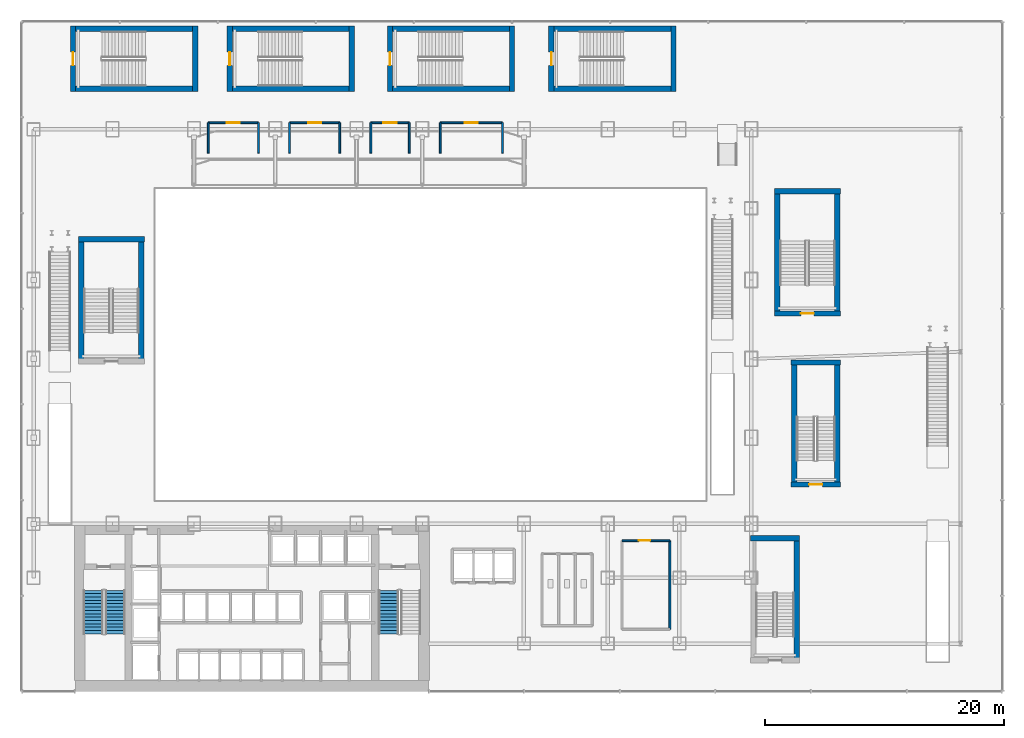
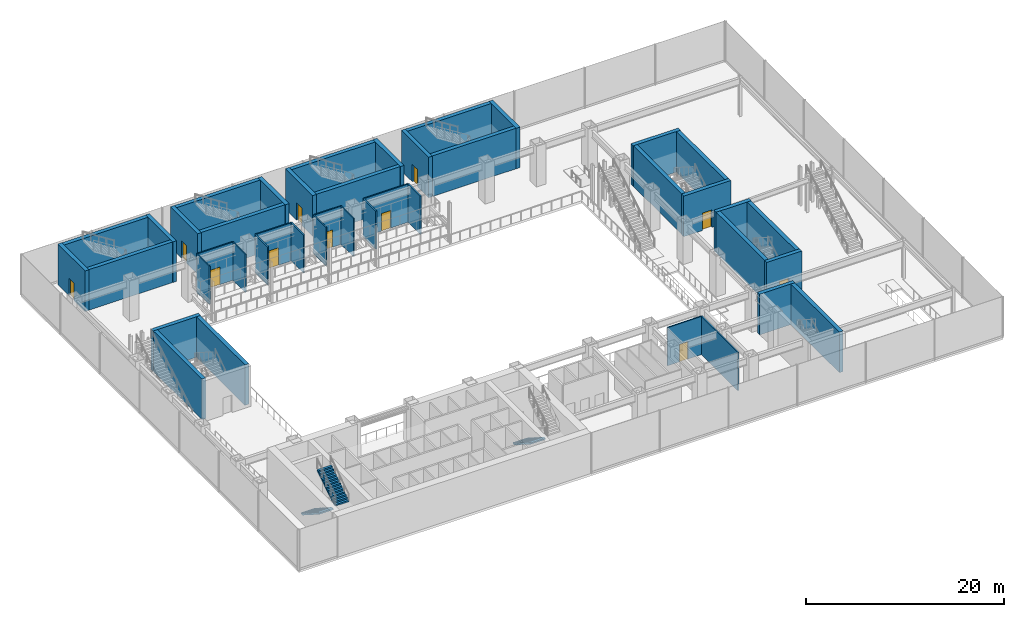
# One storey, part 30 of 40: 43 walls, 11 doors, 3 stair flights, 11 openings, 2 elements without a shape of their own.
"""IFC4 building model written with IfcOpenShell, lengths in metres."""

from ifc_helpers import new_model, si_unit, derived_unit, direction, frame, frame_2d, origin, place, context, subcontext, project, spatial, polyline, rectangle, outline, extrude, source, transform, mapped, material, layer, layer_set, type_object, element, fill, aggregate, save


model = new_model("IFC4")

# Units and contexts
model_context = context("Model", 3, precision=1e-05, world=origin(), true_north=direction((0.0, 1.0)))
body_context = subcontext(model_context, "Body", "Model", "MODEL_VIEW")
ifc_project = project(units=[si_unit("LENGTHUNIT", "METRE"), si_unit("AREAUNIT", "SQUARE_METRE"), si_unit("VOLUMEUNIT", "CUBIC_METRE"), si_unit("PLANEANGLEUNIT", "RADIAN"), si_unit("MASSUNIT", "GRAM", prefix="KILO"), derived_unit("THERMALTRANSMITTANCEUNIT", [(si_unit("POWERUNIT", "WATT"), 1), (si_unit("LENGTHUNIT", "METRE"), -2), (si_unit("THERMODYNAMICTEMPERATUREUNIT", "KELVIN"), -1)])], contexts=[model_context])

# Site, building, storey
site_placement = place(None, origin())
site = spatial("IfcSite", under=ifc_project, at=site_placement, CompositionType="ELEMENT")
building_placement = place(site_placement, origin())
building = spatial("IfcBuilding", under=site, at=building_placement, Name="Skarnbrae Concourse Arena and Tower", CompositionType="ELEMENT")
storey_placement = place(building_placement, frame((0.0, 0.0, 6.0)))
storey = spatial("IfcBuildingStorey", under=building, at=storey_placement, Name="L01", CompositionType="ELEMENT", Elevation=6.0)

# Walls
ifc_material_1 = material(Name="Concrete 50 MPa (C50/60)", Category="concrete")
ifc_layer_1 = layer(ifc_material_1, 0.449951171875)
ifc_layer_set_1 = layer_set([ifc_layer_1], Name="Concrete 50 MPa (C50/60)")
wall_type_1 = type_object("IfcWallType", Name="WALL-CORE-450-C50", PredefinedType="SHEAR", material=ifc_layer_set_1)
shared_shape_1 = source(origin(), body_context, "Body", "SweptSolid", [
    extrude(rectangle(XDim=4.10009765625, YDim=0.449951171875, at=frame_2d((2.050048828125, 0.0))), origin(), (0.0, 0.0, 1.0), 5.0),
])
wall_1_placement = place(storey_placement, frame((60.949951171875, 12.804931640625, 0.0), z_axis=(0.0, 0.0, 1.0), x_axis=(1.0, 0.0, 0.0)))
element("IfcWall", 1, at=wall_1_placement, inside=storey, type_object=wall_type_1, Name="L01 Protected stair shaft wall ST-A1-N", PredefinedType="SHEAR", context=body_context, shape_type="MappedRepresentation", body=[
    mapped(shared_shape_1, transform((0.0, 0.0, 0.0))),
])
shared_shape_2 = source(origin(), body_context, "Body", "SweptSolid", [
    extrude(rectangle(XDim=9.800048828125, YDim=0.449951171875, at=frame_2d((4.89990234375, 0.0))), origin(), (0.0, 0.0, 1.0), 5.0),
])
for number, where, z_axis, x_axis, name in (
    (2, (64.804931640625, 2.800048828125, 0.0), (0.0, 0.0, 1.0), (0.0, 1.0, 0.0), "L01 Protected stair shaft wall ST-A1-E"),
    (3, (64.594970703125, 17.5, 0.0), (0.0, 0.0, 1.0), (0.0, 1.0, 0.0), "L01 Protected stair shaft wall ST-A2-W"),
    (4, (68.205078125, 17.5, 0.0), (0.0, 0.0, 1.0), (0.0, 1.0, 0.0), "L01 Protected stair shaft wall ST-A2-E"),
    (5, (4.9951171875, 27.800048828125, 0.0), (0.0, 0.0, 1.0), (0.0, 1.0, 0.0), "L01 Protected stair shaft wall ST-A3-W"),
    (6, (10.0048828125, 27.800048828125, 0.0), (0.0, 0.0, 1.0), (0.0, 1.0, 0.0), "L01 Protected stair shaft wall ST-A3-E"),
    (7, (63.195068359375, 31.800048828125, 0.0), (0.0, 0.0, 1.0), (0.0, 1.0, 0.0), "L01 Protected stair shaft wall ST-A4-W"),
    (8, (68.205078125, 31.800048828125, 0.0), (0.0, 0.0, 1.0), (0.0, 1.0, 0.0), "L01 Protected stair shaft wall ST-A4-E"),
    (9, (4.5, 50.39501953125, 0.0), (0.0, 0.0, 1.0), (1.0, 0.0, 0.0), "L01 Protected stair shaft wall ST-A5-S"),
    (10, (4.5, 55.405029296875, 0.0), (0.0, 0.0, 1.0), (1.0, 0.0, 0.0), "L01 Protected stair shaft wall ST-A5-N"),
    (11, (31.0, 50.39501953125, 0.0), (0.0, 0.0, 1.0), (1.0, 0.0, 0.0), "L01 Protected stair shaft wall ST-A7-S"),
    (12, (31.0, 55.405029296875, 0.0), (0.0, 0.0, 1.0), (1.0, 0.0, 0.0), "L01 Protected stair shaft wall ST-A7-N"),
    (13, (44.5, 50.39501953125, 0.0), (0.0, 0.0, 1.0), (1.0, 0.0, 0.0), "L01 Protected stair shaft wall ST-A8-S"),
    (14, (44.5, 55.405029296875, 0.0), (0.0, 0.0, 1.0), (1.0, 0.0, 0.0), "L01 Protected stair shaft wall ST-A8-N"),
):
    element("IfcWall", number, at=place(storey_placement, frame(where, z_axis=z_axis, x_axis=x_axis)), inside=storey, type_object=wall_type_1, Name=name, PredefinedType="SHEAR", context=body_context, shape_type="MappedRepresentation", body=[
        mapped(shared_shape_2, transform((0.0, 0.0, 0.0))),
    ])

# Wall, opening, door
shared_shape_3 = source(origin(), body_context, "Body", "SweptSolid", [
    extrude(rectangle(XDim=4.099853515625, YDim=0.449951171875, at=frame_2d((2.0498046875, 0.0))), origin(), (0.0, 0.0, 1.0), 5.0),
])
wall_2_placement = place(storey_placement, frame((64.35009765625, 17.294921875, 0.0), z_axis=(0.0, 0.0, 1.0), x_axis=(1.0, 0.0, 0.0)))
wall_2 = element("IfcWall", 15, at=wall_2_placement, inside=storey, type_object=wall_type_1, Name="L01 Protected stair shaft wall ST-A2-S", PredefinedType="SHEAR", context=body_context, shape_type="MappedRepresentation", body=[
    mapped(shared_shape_3, transform((0.0, 0.0, 0.0))),
])
opening_1_placement = place(wall_2_placement, frame((1.5, 0.0, 0.0)))
opening_1 = element("IfcOpeningElement", 16, at=opening_1_placement, cuts=wall_2, Name="Opening DT-03", PredefinedType="OPENING", context=body_context, shape_type="SweptSolid", body=[
    extrude(rectangle(XDim=1.10009765625, YDim=2.14990234375, at=frame_2d((0.550048828125, 1.074951171875))), frame((0.0, 0.23486328125, 0.0), z_axis=(0.0, -1.0, 0.0), x_axis=(1.0, 0.0, 0.0)), (0.0, 0.0, 1.0), 0.469970703125),
])
ifc_material_2 = material(Name="Steel CSA G40.21 350W", Category="steel")
door_type_1 = type_object("IfcDoorType", Name="DOOR-FIRE-1100-90M", OperationType="NOTDEFINED", PredefinedType="DOOR", material=ifc_material_2)
shared_shape_4 = source(origin(), body_context, "Body", "SweptSolid", [
    extrude(rectangle(XDim=1.10009765625, YDim=2.14990234375, at=frame_2d((0.550048828125, 1.074951171875))), frame((0.0, 0.02490234375, 0.0), z_axis=(0.0, -1.0, 0.0), x_axis=(1.0, 0.0, 0.0)), (0.0, 0.0, 1.0), 0.050048828125),
])
door_1_placement = place(opening_1_placement, origin())
door_1 = element("IfcDoor", 17, at=door_1_placement, inside=storey, type_object=door_type_1, Name="D-0220 Exit Stair ST-A2 Door", OperationType="SINGLE_SWING_RIGHT", OverallHeight=2.14990234375, OverallWidth=1.10009765625, PredefinedType="DOOR", context=body_context, shape_type="MappedRepresentation", body=[
    mapped(shared_shape_4, transform((0.0, 0.0, 0.0))),
])
fill(opening_1, door_1)

# Walls
wall_3_placement = place(storey_placement, frame((64.35009765625, 27.5048828125, 0.0), z_axis=(0.0, 0.0, 1.0), x_axis=(1.0, 0.0, 0.0)))
element("IfcWall", 18, at=wall_3_placement, inside=storey, type_object=wall_type_1, Name="L01 Protected stair shaft wall ST-A2-N", PredefinedType="SHEAR", context=body_context, shape_type="MappedRepresentation", body=[
    mapped(shared_shape_3, transform((0.0, 0.0, 0.0))),
])
shared_shape_5 = source(origin(), body_context, "Body", "SweptSolid", [
    extrude(rectangle(XDim=5.5, YDim=0.449951171875, at=frame_2d((2.75, 0.0))), origin(), (0.0, 0.0, 1.0), 5.0),
])
wall_4_placement = place(storey_placement, frame((4.75, 37.804931640625, 0.0), z_axis=(0.0, 0.0, 1.0), x_axis=(1.0, 0.0, 0.0)))
element("IfcWall", 19, at=wall_4_placement, inside=storey, type_object=wall_type_1, Name="L01 Protected stair shaft wall ST-A3-N", PredefinedType="SHEAR", context=body_context, shape_type="MappedRepresentation", body=[
    mapped(shared_shape_5, transform((0.0, 0.0, 0.0))),
])

# Wall, opening, door
wall_5_placement = place(storey_placement, frame((62.949951171875, 31.594970703125, 0.0), z_axis=(0.0, 0.0, 1.0), x_axis=(1.0, 0.0, 0.0)))
wall_5 = element("IfcWall", 20, at=wall_5_placement, inside=storey, type_object=wall_type_1, Name="L01 Protected stair shaft wall ST-A4-S", PredefinedType="SHEAR", context=body_context, shape_type="MappedRepresentation", body=[
    mapped(shared_shape_5, transform((0.0, 0.0, 0.0))),
])
opening_2_placement = place(wall_5_placement, frame((2.199951171875, 0.0, 0.0)))
opening_2 = element("IfcOpeningElement", 21, at=opening_2_placement, cuts=wall_5, Name="Opening DT-03", PredefinedType="OPENING", context=body_context, shape_type="SweptSolid", body=[
    extrude(rectangle(XDim=1.10009765625, YDim=2.14990234375, at=frame_2d((0.550048828125, 1.074951171875))), frame((0.0, 0.23486328125, 0.0), z_axis=(0.0, -1.0, 0.0), x_axis=(1.0, 0.0, 0.0)), (0.0, 0.0, 1.0), 0.469970703125),
])
door_2_placement = place(opening_2_placement, origin())
door_2 = element("IfcDoor", 22, at=door_2_placement, inside=storey, type_object=door_type_1, Name="D-0222 Exit Stair ST-A4 Door", OperationType="SINGLE_SWING_RIGHT", OverallHeight=2.14990234375, OverallWidth=1.10009765625, PredefinedType="DOOR", context=body_context, shape_type="MappedRepresentation", body=[
    mapped(shared_shape_4, transform((0.0, 0.0, 0.0))),
])
fill(opening_2, door_2)

# Wall
wall_6_placement = place(storey_placement, frame((62.949951171875, 41.804931640625, 0.0), z_axis=(0.0, 0.0, 1.0), x_axis=(1.0, 0.0, 0.0)))
element("IfcWall", 23, at=wall_6_placement, inside=storey, type_object=wall_type_1, Name="L01 Protected stair shaft wall ST-A4-N", PredefinedType="SHEAR", context=body_context, shape_type="MappedRepresentation", body=[
    mapped(shared_shape_5, transform((0.0, 0.0, 0.0))),
])

# Wall, opening, door
wall_7_placement = place(storey_placement, frame((4.294921875, 50.14990234375, 0.0), z_axis=(0.0, 0.0, 1.0), x_axis=(0.0, 1.0, 0.0)))
wall_7 = element("IfcWall", 24, at=wall_7_placement, inside=storey, type_object=wall_type_1, Name="L01 Protected stair shaft wall ST-A5-W", PredefinedType="SHEAR", context=body_context, shape_type="MappedRepresentation", body=[
    mapped(shared_shape_5, transform((0.0, 0.0, 0.0))),
])
opening_3_placement = place(wall_7_placement, frame((2.199951171875, 0.0, 0.0)))
opening_3 = element("IfcOpeningElement", 25, at=opening_3_placement, cuts=wall_7, Name="Opening DT-03", PredefinedType="OPENING", context=body_context, shape_type="SweptSolid", body=[
    extrude(rectangle(XDim=1.10009765625, YDim=2.14990234375, at=frame_2d((0.550048828125, 1.074951171875))), frame((0.0, 0.23486328125, 0.0), z_axis=(0.0, -1.0, 0.0), x_axis=(1.0, 0.0, 0.0)), (0.0, 0.0, 1.0), 0.469970703125),
])
door_3_placement = place(opening_3_placement, frame((1.10009765625, 0.0, 0.0), z_axis=(0.0, 0.0, 1.0), x_axis=(-1.0, 0.0, 0.0)))
door_3 = element("IfcDoor", 26, at=door_3_placement, inside=storey, type_object=door_type_1, Name="D-0223 Exit Stair ST-A5 Door", OperationType="SINGLE_SWING_RIGHT", OverallHeight=2.14990234375, OverallWidth=1.10009765625, PredefinedType="DOOR", context=body_context, shape_type="MappedRepresentation", body=[
    mapped(shared_shape_4, transform((0.0, 0.0, 0.0))),
])
fill(opening_3, door_3)

# Wall
wall_8_placement = place(storey_placement, frame((14.5048828125, 50.14990234375, 0.0), z_axis=(0.0, 0.0, 1.0), x_axis=(0.0, 1.0, 0.0)))
element("IfcWall", 27, at=wall_8_placement, inside=storey, type_object=wall_type_1, Name="L01 Protected stair shaft wall ST-A5-E", PredefinedType="SHEAR", context=body_context, shape_type="MappedRepresentation", body=[
    mapped(shared_shape_5, transform((0.0, 0.0, 0.0))),
])

# Wall, opening, door
wall_9_placement = place(storey_placement, frame((17.39501953125, 50.14990234375, 0.0), z_axis=(0.0, 0.0, 1.0), x_axis=(0.0, 1.0, 0.0)))
wall_9 = element("IfcWall", 28, at=wall_9_placement, inside=storey, type_object=wall_type_1, Name="L01 Protected stair shaft wall ST-A6-W", PredefinedType="SHEAR", context=body_context, shape_type="MappedRepresentation", body=[
    mapped(shared_shape_5, transform((0.0, 0.0, 0.0))),
])
opening_4_placement = place(wall_9_placement, frame((2.199951171875, 0.0, 0.0)))
opening_4 = element("IfcOpeningElement", 29, at=opening_4_placement, cuts=wall_9, Name="Opening DT-03", PredefinedType="OPENING", context=body_context, shape_type="SweptSolid", body=[
    extrude(rectangle(XDim=1.10009765625, YDim=2.14990234375, at=frame_2d((0.550048828125, 1.074951171875))), frame((0.0, 0.23486328125, 0.0), z_axis=(0.0, -1.0, 0.0), x_axis=(1.0, 0.0, 0.0)), (0.0, 0.0, 1.0), 0.469970703125),
])
door_4_placement = place(opening_4_placement, frame((1.10009765625, 0.0, 0.0), z_axis=(0.0, 0.0, 1.0), x_axis=(-1.0, 0.0, 0.0)))
door_4 = element("IfcDoor", 30, at=door_4_placement, inside=storey, type_object=door_type_1, Name="D-0224 Exit Stair ST-A6 Door", OperationType="SINGLE_SWING_RIGHT", OverallHeight=2.14990234375, OverallWidth=1.10009765625, PredefinedType="DOOR", context=body_context, shape_type="MappedRepresentation", body=[
    mapped(shared_shape_4, transform((0.0, 0.0, 0.0))),
])
fill(opening_4, door_4)

# Wall
wall_10_placement = place(storey_placement, frame((27.60498046875, 50.14990234375, 0.0), z_axis=(0.0, 0.0, 1.0), x_axis=(0.0, 1.0, 0.0)))
element("IfcWall", 31, at=wall_10_placement, inside=storey, type_object=wall_type_1, Name="L01 Protected stair shaft wall ST-A6-E", PredefinedType="SHEAR", context=body_context, shape_type="MappedRepresentation", body=[
    mapped(shared_shape_5, transform((0.0, 0.0, 0.0))),
])

# Wall, opening, door
wall_11_placement = place(storey_placement, frame((30.794921875, 50.14990234375, 0.0), z_axis=(0.0, 0.0, 1.0), x_axis=(0.0, 1.0, 0.0)))
wall_11 = element("IfcWall", 32, at=wall_11_placement, inside=storey, type_object=wall_type_1, Name="L01 Protected stair shaft wall ST-A7-W", PredefinedType="SHEAR", context=body_context, shape_type="MappedRepresentation", body=[
    mapped(shared_shape_5, transform((0.0, 0.0, 0.0))),
])
opening_5_placement = place(wall_11_placement, frame((2.199951171875, 0.0, 0.0)))
opening_5 = element("IfcOpeningElement", 33, at=opening_5_placement, cuts=wall_11, Name="Opening DT-03", PredefinedType="OPENING", context=body_context, shape_type="SweptSolid", body=[
    extrude(rectangle(XDim=1.10009765625, YDim=2.14990234375, at=frame_2d((0.550048828125, 1.074951171875))), frame((0.0, 0.23486328125, 0.0), z_axis=(0.0, -1.0, 0.0), x_axis=(1.0, 0.0, 0.0)), (0.0, 0.0, 1.0), 0.469970703125),
])
door_5_placement = place(opening_5_placement, frame((1.10009765625, 0.0, 0.0), z_axis=(0.0, 0.0, 1.0), x_axis=(-1.0, 0.0, 0.0)))
door_5 = element("IfcDoor", 34, at=door_5_placement, inside=storey, type_object=door_type_1, Name="D-0225 Exit Stair ST-A7 Door", OperationType="SINGLE_SWING_RIGHT", OverallHeight=2.14990234375, OverallWidth=1.10009765625, PredefinedType="DOOR", context=body_context, shape_type="MappedRepresentation", body=[
    mapped(shared_shape_4, transform((0.0, 0.0, 0.0))),
])
fill(opening_5, door_5)

# Wall
wall_12_placement = place(storey_placement, frame((41.0048828125, 50.14990234375, 0.0), z_axis=(0.0, 0.0, 1.0), x_axis=(0.0, 1.0, 0.0)))
element("IfcWall", 35, at=wall_12_placement, inside=storey, type_object=wall_type_1, Name="L01 Protected stair shaft wall ST-A7-E", PredefinedType="SHEAR", context=body_context, shape_type="MappedRepresentation", body=[
    mapped(shared_shape_5, transform((0.0, 0.0, 0.0))),
])

# Wall, opening, door
wall_13_placement = place(storey_placement, frame((44.294921875, 50.14990234375, 0.0), z_axis=(0.0, 0.0, 1.0), x_axis=(0.0, 1.0, 0.0)))
wall_13 = element("IfcWall", 36, at=wall_13_placement, inside=storey, type_object=wall_type_1, Name="L01 Protected stair shaft wall ST-A8-W", PredefinedType="SHEAR", context=body_context, shape_type="MappedRepresentation", body=[
    mapped(shared_shape_5, transform((0.0, 0.0, 0.0))),
])
opening_6_placement = place(wall_13_placement, frame((2.199951171875, 0.0, 0.0)))
opening_6 = element("IfcOpeningElement", 37, at=opening_6_placement, cuts=wall_13, Name="Opening DT-03", PredefinedType="OPENING", context=body_context, shape_type="SweptSolid", body=[
    extrude(rectangle(XDim=1.10009765625, YDim=2.14990234375, at=frame_2d((0.550048828125, 1.074951171875))), frame((0.0, 0.23486328125, 0.0), z_axis=(0.0, -1.0, 0.0), x_axis=(1.0, 0.0, 0.0)), (0.0, 0.0, 1.0), 0.469970703125),
])
door_6_placement = place(opening_6_placement, frame((1.10009765625, 0.0, 0.0), z_axis=(0.0, 0.0, 1.0), x_axis=(-1.0, 0.0, 0.0)))
door_6 = element("IfcDoor", 38, at=door_6_placement, inside=storey, type_object=door_type_1, Name="D-0226 Exit Stair ST-A8 Door", OperationType="SINGLE_SWING_RIGHT", OverallHeight=2.14990234375, OverallWidth=1.10009765625, PredefinedType="DOOR", context=body_context, shape_type="MappedRepresentation", body=[
    mapped(shared_shape_4, transform((0.0, 0.0, 0.0))),
])
fill(opening_6, door_6)

# Walls
wall_14_placement = place(storey_placement, frame((54.5048828125, 50.14990234375, 0.0), z_axis=(0.0, 0.0, 1.0), x_axis=(0.0, 1.0, 0.0)))
element("IfcWall", 39, at=wall_14_placement, inside=storey, type_object=wall_type_1, Name="L01 Protected stair shaft wall ST-A8-E", PredefinedType="SHEAR", context=body_context, shape_type="MappedRepresentation", body=[
    mapped(shared_shape_5, transform((0.0, 0.0, 0.0))),
])
shared_shape_6 = source(origin(), body_context, "Body", "SweptSolid", [
    extrude(rectangle(XDim=9.7998046875, YDim=0.449951171875, at=frame_2d((4.89990234375, 0.0))), origin(), (0.0, 0.0, 1.0), 5.0),
])
for number, where, z_axis, x_axis, name in (
    (40, (17.60009765625, 50.39501953125, 0.0), (0.0, 0.0, 1.0), (1.0, 0.0, 0.0), "L01 Protected stair shaft wall ST-A6-S"),
    (41, (17.60009765625, 55.405029296875, 0.0), (0.0, 0.0, 1.0), (1.0, 0.0, 0.0), "L01 Protected stair shaft wall ST-A6-N"),
):
    element("IfcWall", number, at=place(storey_placement, frame(where, z_axis=z_axis, x_axis=x_axis)), inside=storey, type_object=wall_type_1, Name=name, PredefinedType="SHEAR", context=body_context, shape_type="MappedRepresentation", body=[
        mapped(shared_shape_6, transform((0.0, 0.0, 0.0))),
    ])

# Wall, opening, door
ifc_material_3 = material(Name="Gypsum board on cold-formed steel studs", Category="steel")
ifc_layer_2 = layer(ifc_material_3, 0.14990234375)
ifc_layer_set_2 = layer_set([ifc_layer_2], Name="Gypsum board on cold-formed steel studs")
wall_type_2 = type_object("IfcWallType", Name="WALL-PART-150-1HR", PredefinedType="PARTITIONING", material=ifc_layer_set_2)
shared_shape_7 = source(origin(), body_context, "Body", "SweptSolid", [
    extrude(rectangle(XDim=4.199951171875, YDim=0.14990234375, at=frame_2d((2.10009765625, 0.0))), origin(), (0.0, 0.0, 1.0), 4.699951171875),
])
wall_15_placement = place(storey_placement, frame((15.60009765625, 47.550048828125, 0.0), z_axis=(0.0, 0.0, 1.0), x_axis=(1.0, 0.0, 0.0)))
wall_15 = element("IfcWall", 42, at=wall_15_placement, inside=storey, type_object=wall_type_2, Name="L01 Interior partition wall W-L01-VM5-N", PredefinedType="PARTITIONING", context=body_context, shape_type="MappedRepresentation", body=[
    mapped(shared_shape_7, transform((0.0, 0.0, 0.0))),
])
opening_7_placement = place(wall_15_placement, frame((1.550048828125, 0.0, 0.0)))
opening_7 = element("IfcOpeningElement", 43, at=opening_7_placement, cuts=wall_15, Name="Opening DT-03", PredefinedType="OPENING", context=body_context, shape_type="SweptSolid", body=[
    extrude(rectangle(XDim=1.10009765625, YDim=2.14990234375, at=frame_2d((0.550048828125, 1.074951171875))), frame((0.0, 0.0849609375, 0.0), z_axis=(0.0, -1.0, 0.0), x_axis=(1.0, 0.0, 0.0)), (0.0, 0.0, 1.0), 0.169921875),
])
door_7_placement = place(opening_7_placement, frame((1.10009765625, 0.0, 0.0), z_axis=(0.0, 0.0, 1.0), x_axis=(-1.0, 0.0, 0.0)))
door_7 = element("IfcDoor", 44, at=door_7_placement, inside=storey, type_object=door_type_1, Name="D-0214 Arena Vomitory V-05 Concourse Door", OperationType="SINGLE_SWING_LEFT", OverallHeight=2.14990234375, OverallWidth=1.10009765625, PredefinedType="DOOR", context=body_context, shape_type="MappedRepresentation", body=[
    mapped(shared_shape_4, transform((0.0, 0.0, 0.0))),
])
fill(opening_7, door_7)

# Walls
shared_shape_8 = source(origin(), body_context, "Body", "SweptSolid", [
    extrude(rectangle(XDim=2.550048828125, YDim=0.14990234375, at=frame_2d((1.27490234375, 0.0))), origin(), (0.0, 0.0, 1.0), 4.699951171875),
])
for number, where, z_axis, x_axis, name in (
    (45, (15.60009765625, 45.0, 0.0), (0.0, 0.0, 1.0), (0.0, 1.0, 0.0), "L01 Interior partition wall W-L01-VM5-W"),
    (46, (19.800048828125, 45.0, 0.0), (0.0, 0.0, 1.0), (0.0, 1.0, 0.0), "L01 Interior partition wall W-L01-VM5-E"),
    (47, (22.39990234375, 45.0, 0.0), (0.0, 0.0, 1.0), (0.0, 1.0, 0.0), "L01 Interior partition wall W-L01-VM6-W"),
    (48, (26.60009765625, 45.0, 0.0), (0.0, 0.0, 1.0), (0.0, 1.0, 0.0), "L01 Interior partition wall W-L01-VM6-E"),
    (49, (29.199951171875, 45.0, 0.0), (0.0, 0.0, 1.0), (0.0, 1.0, 0.0), "L01 Interior partition wall W-L01-VM7-W"),
    (50, (32.39990234375, 45.0, 0.0), (0.0, 0.0, 1.0), (0.0, 1.0, 0.0), "L01 Interior partition wall W-L01-VM7-E"),
    (51, (35.0, 45.0, 0.0), (0.0, 0.0, 1.0), (0.0, 1.0, 0.0), "L01 Interior partition wall W-L01-VM8-W"),
    (52, (40.199951171875, 45.0, 0.0), (0.0, 0.0, 1.0), (0.0, 1.0, 0.0), "L01 Interior partition wall W-L01-VM8-E"),
):
    element("IfcWall", number, at=place(storey_placement, frame(where, z_axis=z_axis, x_axis=x_axis)), inside=storey, type_object=wall_type_2, Name=name, PredefinedType="PARTITIONING", context=body_context, shape_type="MappedRepresentation", body=[
        mapped(shared_shape_8, transform((0.0, 0.0, 0.0))),
    ])

# Wall, opening, door
shared_shape_9 = source(origin(), body_context, "Body", "SweptSolid", [
    extrude(rectangle(XDim=4.2001953125, YDim=0.14990234375, at=frame_2d((2.10009765625, 0.0))), origin(), (0.0, 0.0, 1.0), 4.699951171875),
])
wall_16_placement = place(storey_placement, frame((22.39990234375, 47.550048828125, 0.0), z_axis=(0.0, 0.0, 1.0), x_axis=(1.0, 0.0, 0.0)))
wall_16 = element("IfcWall", 53, at=wall_16_placement, inside=storey, type_object=wall_type_2, Name="L01 Interior partition wall W-L01-VM6-N", PredefinedType="PARTITIONING", context=body_context, shape_type="MappedRepresentation", body=[
    mapped(shared_shape_9, transform((0.0, 0.0, 0.0))),
])
opening_8_placement = place(wall_16_placement, frame((1.550048828125, 0.0, 0.0)))
opening_8 = element("IfcOpeningElement", 54, at=opening_8_placement, cuts=wall_16, Name="Opening DT-03", PredefinedType="OPENING", context=body_context, shape_type="SweptSolid", body=[
    extrude(rectangle(XDim=1.10009765625, YDim=2.14990234375, at=frame_2d((0.550048828125, 1.074951171875))), frame((0.0, 0.0849609375, 0.0), z_axis=(0.0, -1.0, 0.0), x_axis=(1.0, 0.0, 0.0)), (0.0, 0.0, 1.0), 0.169921875),
])
door_8_placement = place(opening_8_placement, frame((1.10009765625, 0.0, 0.0), z_axis=(0.0, 0.0, 1.0), x_axis=(-1.0, 0.0, 0.0)))
door_8 = element("IfcDoor", 55, at=door_8_placement, inside=storey, type_object=door_type_1, Name="D-0215 Arena Vomitory V-06 Concourse Door", OperationType="SINGLE_SWING_LEFT", OverallHeight=2.14990234375, OverallWidth=1.10009765625, PredefinedType="DOOR", context=body_context, shape_type="MappedRepresentation", body=[
    mapped(shared_shape_4, transform((0.0, 0.0, 0.0))),
])
fill(opening_8, door_8)

shared_shape_10 = source(origin(), body_context, "Body", "SweptSolid", [
    extrude(rectangle(XDim=3.199951171875, YDim=0.14990234375, at=frame_2d((1.60009765625, 0.0))), origin(), (0.0, 0.0, 1.0), 4.699951171875),
])
wall_17_placement = place(storey_placement, frame((29.199951171875, 47.550048828125, 0.0), z_axis=(0.0, 0.0, 1.0), x_axis=(1.0, 0.0, 0.0)))
wall_17 = element("IfcWall", 56, at=wall_17_placement, inside=storey, type_object=wall_type_2, Name="L01 Interior partition wall W-L01-VM7-N", PredefinedType="PARTITIONING", context=body_context, shape_type="MappedRepresentation", body=[
    mapped(shared_shape_10, transform((0.0, 0.0, 0.0))),
])
opening_9_placement = place(wall_17_placement, frame((1.050048828125, 0.0, 0.0)))
opening_9 = element("IfcOpeningElement", 57, at=opening_9_placement, cuts=wall_17, Name="Opening DT-03", PredefinedType="OPENING", context=body_context, shape_type="SweptSolid", body=[
    extrude(rectangle(XDim=1.10009765625, YDim=2.14990234375, at=frame_2d((0.550048828125, 1.074951171875))), frame((0.0, 0.0849609375, 0.0), z_axis=(0.0, -1.0, 0.0), x_axis=(1.0, 0.0, 0.0)), (0.0, 0.0, 1.0), 0.169921875),
])
door_9_placement = place(opening_9_placement, frame((1.10009765625, 0.0, 0.0), z_axis=(0.0, 0.0, 1.0), x_axis=(-1.0, 0.0, 0.0)))
door_9 = element("IfcDoor", 58, at=door_9_placement, inside=storey, type_object=door_type_1, Name="D-0216 Arena Vomitory V-07 Concourse Door", OperationType="SINGLE_SWING_LEFT", OverallHeight=2.14990234375, OverallWidth=1.10009765625, PredefinedType="DOOR", context=body_context, shape_type="MappedRepresentation", body=[
    mapped(shared_shape_4, transform((0.0, 0.0, 0.0))),
])
fill(opening_9, door_9)

shared_shape_11 = source(origin(), body_context, "Body", "SweptSolid", [
    extrude(rectangle(XDim=5.199951171875, YDim=0.14990234375, at=frame_2d((2.60009765625, 0.0))), origin(), (0.0, 0.0, 1.0), 4.699951171875),
])
wall_18_placement = place(storey_placement, frame((35.0, 47.550048828125, 0.0), z_axis=(0.0, 0.0, 1.0), x_axis=(1.0, 0.0, 0.0)))
wall_18 = element("IfcWall", 59, at=wall_18_placement, inside=storey, type_object=wall_type_2, Name="L01 Interior partition wall W-L01-VM8-N", PredefinedType="PARTITIONING", context=body_context, shape_type="MappedRepresentation", body=[
    mapped(shared_shape_11, transform((0.0, 0.0, 0.0))),
])
opening_10_placement = place(wall_18_placement, frame((2.050048828125, 0.0, 0.0)))
opening_10 = element("IfcOpeningElement", 60, at=opening_10_placement, cuts=wall_18, Name="Opening DT-03", PredefinedType="OPENING", context=body_context, shape_type="SweptSolid", body=[
    extrude(rectangle(XDim=1.10009765625, YDim=2.14990234375, at=frame_2d((0.550048828125, 1.074951171875))), frame((0.0, 0.0849609375, 0.0), z_axis=(0.0, -1.0, 0.0), x_axis=(1.0, 0.0, 0.0)), (0.0, 0.0, 1.0), 0.169921875),
])
door_10_placement = place(opening_10_placement, frame((1.10009765625, 0.0, 0.0), z_axis=(0.0, 0.0, 1.0), x_axis=(-1.0, 0.0, 0.0)))
door_10 = element("IfcDoor", 61, at=door_10_placement, inside=storey, type_object=door_type_1, Name="D-0217 Arena Vomitory V-08 Concourse Door", OperationType="SINGLE_SWING_LEFT", OverallHeight=2.14990234375, OverallWidth=1.10009765625, PredefinedType="DOOR", context=body_context, shape_type="MappedRepresentation", body=[
    mapped(shared_shape_4, transform((0.0, 0.0, 0.0))),
])
fill(opening_10, door_10)

shared_shape_12 = source(origin(), body_context, "Body", "SweptSolid", [
    extrude(rectangle(XDim=4.0, YDim=0.14990234375, at=frame_2d((2.0, 0.0))), origin(), (0.0, 0.0, 1.0), 4.699951171875),
])
wall_19_placement = place(storey_placement, frame((50.199951171875, 12.60009765625, 0.0), z_axis=(0.0, 0.0, 1.0), x_axis=(1.0, 0.0, 0.0)))
wall_19 = element("IfcWall", 62, at=wall_19_placement, inside=storey, type_object=wall_type_2, Name="L01 Interior partition wall W-L01-CAT-N", PredefinedType="PARTITIONING", context=body_context, shape_type="MappedRepresentation", body=[
    mapped(shared_shape_12, transform((0.0, 0.0, 0.0))),
])
opening_11_placement = place(wall_19_placement, frame((1.39990234375, 0.0, 0.0)))
opening_11 = element("IfcOpeningElement", 63, at=opening_11_placement, cuts=wall_19, Name="Opening DT-04", PredefinedType="OPENING", context=body_context, shape_type="SweptSolid", body=[
    extrude(rectangle(XDim=0.949951171875, YDim=2.14990234375, at=frame_2d((0.47509765625, 1.074951171875))), frame((0.0, 0.0849609375, 0.0), z_axis=(0.0, -1.0, 0.0), x_axis=(1.0, 0.0, 0.0)), (0.0, 0.0, 1.0), 0.169921875),
])
door_type_2 = type_object("IfcDoorType", Name="DOOR-INT-950-45M", OperationType="NOTDEFINED", PredefinedType="DOOR", material=ifc_material_2)
shared_shape_13 = source(origin(), body_context, "Body", "SweptSolid", [
    extrude(rectangle(XDim=0.949951171875, YDim=2.14990234375, at=frame_2d((0.47509765625, 1.074951171875))), frame((0.0, 0.02490234375, 0.0), z_axis=(0.0, -1.0, 0.0), x_axis=(1.0, 0.0, 0.0)), (0.0, 0.0, 1.0), 0.050048828125),
])
door_11_placement = place(opening_11_placement, frame((0.949951171875, 0.0, 0.0), z_axis=(0.0, 0.0, 1.0), x_axis=(-1.0, 0.0, 0.0)))
door_11 = element("IfcDoor", 64, at=door_11_placement, inside=storey, type_object=door_type_2, Name="D-0218 L01 Catering Suite Door", OperationType="SINGLE_SWING_LEFT", OverallHeight=2.14990234375, OverallWidth=0.949951171875, PredefinedType="DOOR", context=body_context, shape_type="MappedRepresentation", body=[
    mapped(shared_shape_13, transform((0.0, 0.0, 0.0))),
])
fill(opening_11, door_11)

# Wall
shared_shape_14 = source(origin(), body_context, "Body", "SweptSolid", [
    extrude(rectangle(XDim=7.400146484375, YDim=0.14990234375, at=frame_2d((3.7001953125, 0.0))), origin(), (0.0, 0.0, 1.0), 4.699951171875),
])
wall_20_placement = place(storey_placement, frame((54.199951171875, 5.199951171875, 0.0), z_axis=(0.0, 0.0, 1.0), x_axis=(0.0, 1.0, 0.0)))
element("IfcWall", 65, at=wall_20_placement, inside=storey, type_object=wall_type_2, Name="L01 Interior partition wall W-L01-CAT-E", PredefinedType="PARTITIONING", context=body_context, shape_type="MappedRepresentation", body=[
    mapped(shared_shape_14, transform((0.0, 0.0, 0.0))),
])

# Stair, stair flights
ifc_material_4 = material(Name="Concrete 40 MPa (C40/50)", Category="concrete")
stair_type = type_object("IfcStairType", Name="STAIR-DOGLEG-1650", PredefinedType="HALF_TURN_STAIR", material=ifc_material_4)
stair_1_placement = place(storey_placement, origin())
stair_1 = element("IfcStair", 66, at=stair_1_placement, inside=storey, type_object=stair_type, Name="L01 Protected Exit Stair ST-1", PredefinedType="HALF_TURN_STAIR")
stair_flight_type = type_object("IfcStairFlightType", Name="FLIGHT-STRAIGHT-1650", PredefinedType="STRAIGHT", material=ifc_material_4)
shared_shape_15 = source(origin(), body_context, "Body", "SweptSolid", [
    extrude(outline(polyline([(0.0, 0.0), (0.0, 0.178466796875), (0.280029296875, 0.178466796875), (0.280029296875, 0.357177734375), (0.56005859375, 0.357177734375), (0.56005859375, 0.53564453125), (0.840087890625, 0.53564453125), (0.840087890625, 0.71435546875), (1.1201171875, 0.71435546875), (1.1201171875, 0.892822265625), (1.39990234375, 0.892822265625), (1.39990234375, 1.071533203125), (1.679931640625, 1.071533203125), (1.679931640625, 1.25), (1.9599609375, 1.25), (1.9599609375, 1.428466796875), (2.239990234375, 1.428466796875), (2.239990234375, 1.607177734375), (2.52001953125, 1.607177734375), (2.52001953125, 1.78564453125), (2.800048828125, 1.78564453125), (2.800048828125, 1.96435546875), (3.080078125, 1.96435546875), (3.080078125, 2.142822265625), (3.360107421875, 2.142822265625), (3.360107421875, 2.321533203125), (3.639892578125, 2.321533203125), (3.639892578125, 2.5), (3.639892578125, 2.1435546875), (0.27880859375, 0.0), (0.0, 0.0)])), frame((0.0, 0.824951171875, 0.0), z_axis=(0.0, -1.0, 0.0), x_axis=(1.0, 0.0, 0.0)), (0.0, 0.0, 1.0), 1.64990234375),
])
stair_flight_1_placement = place(storey_placement, frame((5.97509765625, 8.449951171875, 0.0), z_axis=(0.0, 0.0, 1.0), x_axis=(0.0, -1.0, 0.0)))
stair_flight_1 = element("IfcStairFlight", 67, at=stair_flight_1_placement, type_object=stair_flight_type, Name="ST-1 flight 1", NumberOfRisers=14, NumberOfTreads=13, PredefinedType="STRAIGHT", RiserHeight=0.178571429, TreadLength=0.28, context=body_context, shape_type="MappedRepresentation", body=[
    mapped(shared_shape_15, transform((0.0, 0.0, 0.0))),
])
stair_flight_2_placement = place(storey_placement, frame((7.824951171875, 4.81005859375, 2.5), z_axis=(0.0, 0.0, 1.0), x_axis=(0.0, 1.0, 0.0)))
stair_flight_2 = element("IfcStairFlight", 68, at=stair_flight_2_placement, type_object=stair_flight_type, Name="ST-1 flight 2", NumberOfRisers=14, NumberOfTreads=13, PredefinedType="STRAIGHT", RiserHeight=0.178571429, TreadLength=0.28, context=body_context, shape_type="MappedRepresentation", body=[
    mapped(shared_shape_15, transform((0.0, 0.0, 0.0))),
])
aggregate(stair_1, [stair_flight_1, stair_flight_2])

# Stair, stair flight
stair_2_placement = place(storey_placement, origin())
stair_2 = element("IfcStair", 69, at=stair_2_placement, inside=storey, type_object=stair_type, Name="L01 Protected Exit Stair ST-2", PredefinedType="HALF_TURN_STAIR")
stair_flight_3_placement = place(storey_placement, frame((30.675048828125, 8.449951171875, 0.0), z_axis=(0.0, 0.0, 1.0), x_axis=(0.0, -1.0, 0.0)))
stair_flight_3 = element("IfcStairFlight", 70, at=stair_flight_3_placement, type_object=stair_flight_type, Name="ST-2 flight 1", NumberOfRisers=14, NumberOfTreads=13, PredefinedType="STRAIGHT", RiserHeight=0.178571429, TreadLength=0.28, context=body_context, shape_type="MappedRepresentation", body=[
    mapped(shared_shape_15, transform((0.0, 0.0, 0.0))),
])
aggregate(stair_2, [stair_flight_3])

save(model, "model.ifc")
